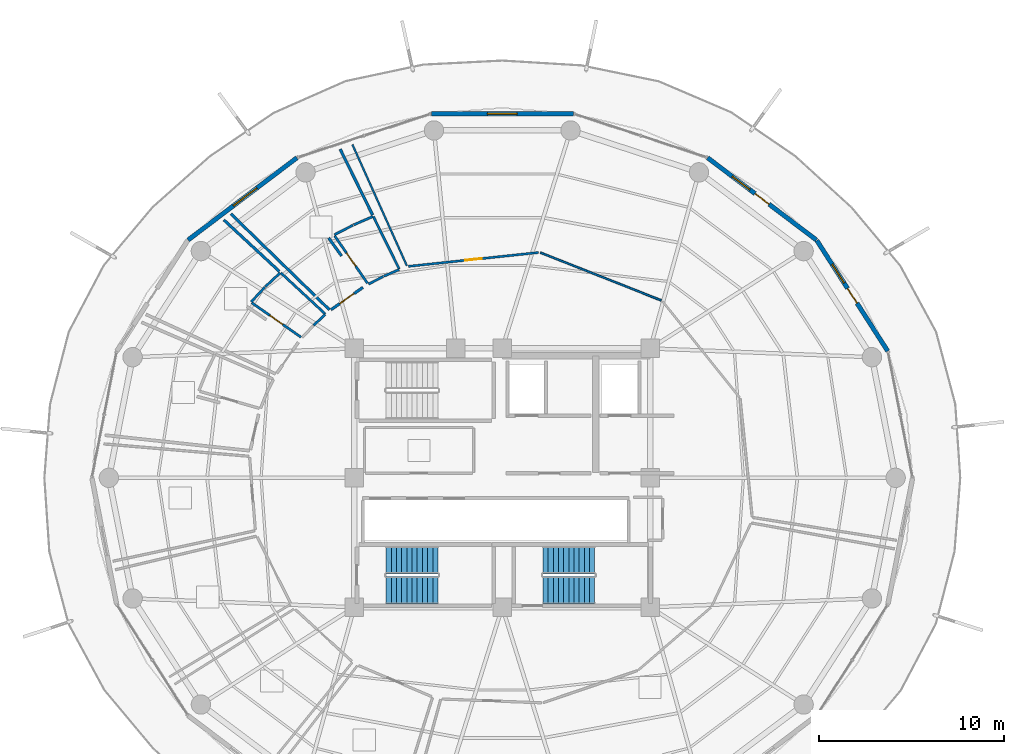
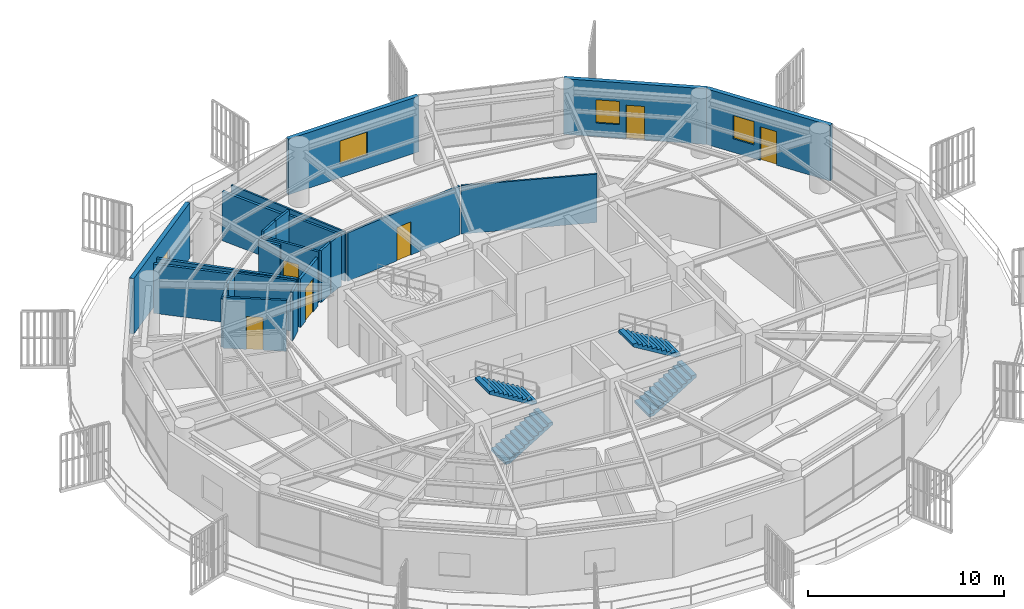
# One storey, part 26 of 31: 23 walls, 6 doors, 4 stair flights, 4 windows, 10 openings, 2 elements without a shape of their own.
"""IFC4 building model written with IfcOpenShell, lengths in metres."""

from ifc_helpers import new_model, si_unit, direction, frame, frame_2d, origin, place, context, subcontext, project, spatial, polyline, rectangle, outline, extrude, material, layer, layer_set, type_object, element, fill, aggregate, save


model = new_model("IFC4")

# Units and contexts
model_context = context("Model", 3, precision=1e-05, world=origin(), true_north=direction((0.0, 1.0)))
body_context = subcontext(model_context, "Body", "Model", "MODEL_VIEW")
ifc_project = project(units=[si_unit("LENGTHUNIT", "METRE"), si_unit("AREAUNIT", "SQUARE_METRE"), si_unit("VOLUMEUNIT", "CUBIC_METRE"), si_unit("PLANEANGLEUNIT", "RADIAN"), si_unit("MASSUNIT", "GRAM", prefix="KILO")], contexts=[model_context])

# Site, building, storey
site_placement = place(None, origin())
site = spatial("IfcSite", under=ifc_project, at=site_placement, CompositionType="ELEMENT")
building_placement = place(site_placement, origin())
building = spatial("IfcBuilding", under=site, at=building_placement, Name="Kelanora Arch Commons", CompositionType="ELEMENT")
storey_placement = place(building_placement, frame((0.0, 0.0, 219.449951171875)))
storey = spatial("IfcBuildingStorey", under=building, at=storey_placement, Name="L56", CompositionType="ELEMENT", Elevation=219.449951171875)

# Wall, opening, door
ifc_material_1 = material(Name="Autoclaved aerated concrete blockwork with fire plaster", Category="masonry")
ifc_layer_1 = layer(ifc_material_1, 0.14990234375)
ifc_layer_set_1 = layer_set([ifc_layer_1], Name="Autoclaved aerated concrete blockwork with fire plaster")
wall_type_1 = type_object("IfcWallType", Name="W-COMP-150", PredefinedType="PARTITIONING", material=ifc_layer_set_1)
wall_1_placement = place(storey_placement, frame((66.4658203125, 68.302490234375, 0.0), z_axis=(0.0, 0.0, 1.0), x_axis=(-0.819606107513, -0.572927419948, 0.0)))
wall_1 = element("IfcWall", 1, at=wall_1_placement, inside=storey, type_object=wall_type_1, Name="Cluster Bedroom L56-01 Entry Partition", PredefinedType="PARTITIONING", context=body_context, shape_type="SweptSolid", body=[
    extrude(rectangle(XDim=2.114013671875, YDim=0.14990234375, at=frame_2d((1.05712890625, 0.0))), origin(), (0.0, 0.0, 1.0), 3.025146484375),
])
opening_1_placement = place(wall_1_placement, frame((0.58203125, 0.0, 0.0)))
opening_1 = element("IfcOpeningElement", 2, at=opening_1_placement, cuts=wall_1, Name="Opening D-CLU1", PredefinedType="OPENING", context=body_context, shape_type="SweptSolid", body=[
    extrude(rectangle(XDim=0.949951171875, YDim=2.080078125, at=frame_2d((0.47509765625, 1.0400390625))), frame((0.0, 0.0849609375, 0.0), z_axis=(0.0, -1.0, 0.0), x_axis=(1.0, 0.0, 0.0)), (0.0, 0.0, 1.0), 0.169921875),
])
ifc_material_2 = material(Name="Solid-core acoustic timber cluster entry fire door", Category="wood")
door_type_1 = type_object("IfcDoorType", Name="D-CLU-95", OperationType="NOTDEFINED", PredefinedType="DOOR", material=ifc_material_2)
door_1_placement = place(opening_1_placement, origin())
door_1 = element("IfcDoor", 3, at=door_1_placement, inside=storey, type_object=door_type_1, Name="Cluster Bedroom L56-01 Door", OperationType="SINGLE_SWING_LEFT", OverallHeight=2.080078125, OverallWidth=0.949951171875, PredefinedType="DOOR", context=body_context, shape_type="SweptSolid", body=[
    extrude(rectangle(XDim=0.949951171875, YDim=2.080078125, at=frame_2d((0.47509765625, 1.0400390625))), frame((0.0, 0.02490234375, 0.0), z_axis=(0.0, -1.0, 0.0), x_axis=(1.0, 0.0, 0.0)), (0.0, 0.0, 1.0), 0.050048828125),
])
fill(opening_1, door_1)

# Walls
wall_2_placement = place(storey_placement, frame((64.6552734375, 67.0849609375, 0.0), z_axis=(0.0, 0.0, 1.0), x_axis=(-0.716418161924, 0.697671138335, 0.0)))
element("IfcWall", 4, at=wall_2_placement, inside=storey, type_object=wall_type_1, Name="Cluster Bedroom L56-01 Enclosure Partition 2", PredefinedType="PARTITIONING", context=body_context, shape_type="SweptSolid", body=[
    extrude(rectangle(XDim=7.44921875, YDim=0.14990234375, at=frame_2d((3.724609375, 0.0))), origin(), (0.0, 0.0, 1.0), 3.074951171875),
])
wall_3_placement = place(storey_placement, frame((65.234619140625, 75.774169921875, 0.0), z_axis=(0.0, 0.0, 1.0), x_axis=(0.441884590329, -0.897071908394, 0.0)))
element("IfcWall", 5, at=wall_3_placement, inside=storey, type_object=wall_type_1, Name="Cluster Bedroom L56-01 Enclosure Partition 5", PredefinedType="PARTITIONING", context=body_context, shape_type="SweptSolid", body=[
    extrude(rectangle(XDim=3.964111328125, YDim=0.14990234375, at=frame_2d((1.98193359375, 0.0))), origin(), (0.0, 0.0, 1.0), 3.074951171875),
])
wall_4_placement = place(storey_placement, frame((64.609375, 70.9716796875, 0.0), z_axis=(0.0, 0.0, 1.0), x_axis=(0.586088334164, -0.810247162634, 0.0)))
element("IfcWall", 6, at=wall_4_placement, inside=storey, type_object=wall_type_1, Name="Cluster Bedroom L56-01 Enclosure Partition 7", PredefinedType="PARTITIONING", context=body_context, shape_type="SweptSolid", body=[
    extrude(rectangle(XDim=1.192626953125, YDim=0.14990234375, at=frame_2d((0.59619140625, 0.0))), origin(), (0.0, 0.0, 1.0), 3.175048828125),
])
wall_5_placement = place(storey_placement, frame((58.934326171875, 71.954833984375, 0.0), z_axis=(0.0, 0.0, 1.0), x_axis=(0.733337091809, -0.679865214419, 0.0)))
element("IfcWall", 7, at=wall_5_placement, inside=storey, type_object=wall_type_1, Name="Cluster Bedroom L56-02 Enclosure Partition 5", PredefinedType="PARTITIONING", context=body_context, shape_type="SweptSolid", body=[
    extrude(rectangle(XDim=4.109130859375, YDim=0.14990234375, at=frame_2d((2.0546875, 0.0))), origin(), (0.0, 0.0, 1.0), 3.074951171875),
])

# Wall, openings, door, window
ifc_material_3 = material(Name="Precast concrete C40/50 upper-zone terracotta rainscreen", Category="masonry")
ifc_layer_2 = layer(ifc_material_3, 0.239990234375)
ifc_layer_set_2 = layer_set([ifc_layer_2], Name="Precast concrete C40/50 upper-zone terracotta rainscreen")
wall_type_2 = type_object("IfcWallType", Name="W-EXT-TC2", PredefinedType="SOLIDWALL", material=ifc_layer_set_2)
wall_6_placement = place(storey_placement, frame((94.85302734375, 64.85302734375, 0.0), z_axis=(0.0, 0.0, 1.0), x_axis=(-0.539539512973, 0.841960280501, 0.0)))
wall_6 = element("IfcWall", 8, at=wall_6_placement, inside=storey, type_object=wall_type_2, Name="Terracotta Exterior Wall L56-B01", PredefinedType="SOLIDWALL", context=body_context, shape_type="SweptSolid", body=[
    extrude(rectangle(XDim=7.11474609375, YDim=0.239990234375, at=frame_2d((3.557373046875, 0.0))), origin(), (0.0, 0.0, 1.0), 3.47509765625),
])
opening_2_placement = place(wall_6_placement, frame((3.08203125, 0.0, 0.0)))
opening_2 = element("IfcOpeningElement", 9, at=opening_2_placement, cuts=wall_6, Name="Opening DB-01", PredefinedType="OPENING", context=body_context, shape_type="SweptSolid", body=[
    extrude(rectangle(XDim=0.949951171875, YDim=2.10009765625, at=frame_2d((0.47509765625, 1.050048828125))), frame((0.0, 0.1298828125, 0.0), z_axis=(0.0, -1.0, 0.0), x_axis=(1.0, 0.0, 0.0)), (0.0, 0.0, 1.0), 0.260009765625),
])
opening_3_placement = place(wall_6_placement, frame((4.382080078125, 0.0, 0.85009765625)))
opening_3 = element("IfcOpeningElement", 10, at=opening_3_placement, cuts=wall_6, Name="Opening WN-02", PredefinedType="OPENING", context=body_context, shape_type="SweptSolid", body=[
    extrude(rectangle(XDim=1.199951171875, YDim=1.449951171875, at=frame_2d((0.60009765625, 0.72509765625))), frame((0.0, 0.1298828125, 0.0), z_axis=(0.0, -1.0, 0.0), x_axis=(1.0, 0.0, 0.0)), (0.0, 0.0, 1.0), 0.260009765625),
])
ifc_material_4 = material(Name="Terracotta-aluminium thermally broken glazed balcony door", Category="masonry")
door_type_2 = type_object("IfcDoorType", Name="D-BAL-10", OperationType="NOTDEFINED", PredefinedType="DOOR", material=ifc_material_4)
door_2_placement = place(opening_2_placement, frame((0.949951171875, 0.0, 0.0), z_axis=(0.0, 0.0, 1.0), x_axis=(-1.0, 0.0, 0.0)))
door_2 = element("IfcDoor", 11, at=door_2_placement, inside=storey, type_object=door_type_2, Name="Wave Balcony Door L56-B01", OperationType="SINGLE_SWING_RIGHT", OverallHeight=2.10009765625, OverallWidth=0.949951171875, PredefinedType="DOOR", context=body_context, shape_type="SweptSolid", body=[
    extrude(rectangle(XDim=0.949951171875, YDim=2.10009765625, at=frame_2d((0.47509765625, 1.050048828125))), frame((0.0, 0.02490234375, 0.0), z_axis=(0.0, -1.0, 0.0), x_axis=(1.0, 0.0, 0.0)), (0.0, 0.0, 1.0), 0.050048828125),
])
fill(opening_2, door_2)
ifc_material_5 = material(Name="Terracotta-anodised aluminium frame with operable awning sash", Category="masonry")
window_type_1 = type_object("IfcWindowType", Name="WIN-CL-12", PartitioningType="SINGLE_PANEL", PredefinedType="WINDOW", material=ifc_material_5)
window_1_placement = place(opening_3_placement, origin())
window_1 = element("IfcWindow", 12, at=window_1_placement, inside=storey, type_object=window_type_1, Name="Co-Living Operable Window L56-B01", OverallHeight=1.449951171875, OverallWidth=1.199951171875, PartitioningType="SINGLE_PANEL", PredefinedType="WINDOW", context=body_context, shape_type="SweptSolid", body=[
    extrude(rectangle(XDim=1.199951171875, YDim=1.449951171875, at=frame_2d((0.60009765625, 0.72509765625))), frame((0.0, 0.030029296875, 0.0), z_axis=(0.0, -1.0, 0.0), x_axis=(1.0, 0.0, 0.0)), (0.0, 0.0, 1.0), 0.06005859375),
])
fill(opening_3, window_1)

wall_7_placement = place(storey_placement, frame((90.994140625, 70.86474609375, 0.0), z_axis=(0.0, 0.0, 1.0), x_axis=(-0.797701674595, 0.603052268338, 0.0)))
wall_7 = element("IfcWall", 13, at=wall_7_placement, inside=storey, type_object=wall_type_2, Name="Terracotta Exterior Wall L56-B02", PredefinedType="SOLIDWALL", context=body_context, shape_type="SweptSolid", body=[
    extrude(rectangle(XDim=7.373779296875, YDim=0.239990234375, at=frame_2d((3.68701171875, 0.0))), origin(), (0.0, 0.0, 1.0), 3.47509765625),
])
opening_4_placement = place(wall_7_placement, frame((3.2119140625, 0.0, 0.0)))
opening_4 = element("IfcOpeningElement", 14, at=opening_4_placement, cuts=wall_7, Name="Opening DB-01", PredefinedType="OPENING", context=body_context, shape_type="SweptSolid", body=[
    extrude(rectangle(XDim=0.949951171875, YDim=2.10009765625, at=frame_2d((0.47509765625, 1.050048828125))), frame((0.0, 0.1298828125, 0.0), z_axis=(0.0, -1.0, 0.0), x_axis=(1.0, 0.0, 0.0)), (0.0, 0.0, 1.0), 0.260009765625),
])
opening_5_placement = place(wall_7_placement, frame((4.511962890625, 0.0, 0.85009765625)))
opening_5 = element("IfcOpeningElement", 15, at=opening_5_placement, cuts=wall_7, Name="Opening WN-02", PredefinedType="OPENING", context=body_context, shape_type="SweptSolid", body=[
    extrude(rectangle(XDim=1.199951171875, YDim=1.449951171875, at=frame_2d((0.60009765625, 0.72509765625))), frame((0.0, 0.1298828125, 0.0), z_axis=(0.0, -1.0, 0.0), x_axis=(1.0, 0.0, 0.0)), (0.0, 0.0, 1.0), 0.260009765625),
])
door_3_placement = place(opening_4_placement, frame((0.949951171875, 0.0, 0.0), z_axis=(0.0, 0.0, 1.0), x_axis=(-1.0, 0.0, 0.0)))
door_3 = element("IfcDoor", 16, at=door_3_placement, inside=storey, type_object=door_type_2, Name="Wave Balcony Door L56-B02", OperationType="SINGLE_SWING_LEFT", OverallHeight=2.10009765625, OverallWidth=0.949951171875, PredefinedType="DOOR", context=body_context, shape_type="SweptSolid", body=[
    extrude(rectangle(XDim=0.949951171875, YDim=2.10009765625, at=frame_2d((0.47509765625, 1.050048828125))), frame((0.0, 0.02490234375, 0.0), z_axis=(0.0, -1.0, 0.0), x_axis=(1.0, 0.0, 0.0)), (0.0, 0.0, 1.0), 0.050048828125),
])
fill(opening_4, door_3)
window_2_placement = place(opening_5_placement, origin())
window_2 = element("IfcWindow", 17, at=window_2_placement, inside=storey, type_object=window_type_1, Name="Co-Living Operable Window L56-B02", OverallHeight=1.449951171875, OverallWidth=1.199951171875, PartitioningType="SINGLE_PANEL", PredefinedType="WINDOW", context=body_context, shape_type="SweptSolid", body=[
    extrude(rectangle(XDim=1.199951171875, YDim=1.449951171875, at=frame_2d((0.60009765625, 0.72509765625))), frame((0.0, 0.030029296875, 0.0), z_axis=(0.0, -1.0, 0.0), x_axis=(1.0, 0.0, 0.0)), (0.0, 0.0, 1.0), 0.06005859375),
])
fill(opening_5, window_2)

# Wall, opening, window
wall_8_placement = place(storey_placement, frame((77.840087890625, 77.6962890625, 0.0), z_axis=(0.0, 0.0, 1.0), x_axis=(-1.0, 0.0, 0.0)))
wall_8 = element("IfcWall", 18, at=wall_8_placement, inside=storey, type_object=wall_type_2, Name="Terracotta Exterior Wall L56-B04", PredefinedType="SOLIDWALL", context=body_context, shape_type="SweptSolid", body=[
    extrude(rectangle(XDim=7.68017578125, YDim=0.239990234375, at=frame_2d((3.840087890625, 0.0))), origin(), (0.0, 0.0, 1.0), 3.47509765625),
])
opening_6_placement = place(wall_8_placement, frame((3.0400390625, 0.0, 0.85009765625)))
opening_6 = element("IfcOpeningElement", 19, at=opening_6_placement, cuts=wall_8, Name="Opening WN-01", PredefinedType="OPENING", context=body_context, shape_type="SweptSolid", body=[
    extrude(rectangle(XDim=1.60009765625, YDim=1.449951171875, at=frame_2d((0.800048828125, 0.72509765625))), frame((0.0, 0.1298828125, 0.0), z_axis=(0.0, -1.0, 0.0), x_axis=(1.0, 0.0, 0.0)), (0.0, 0.0, 1.0), 0.260009765625),
])
ifc_material_6 = material(Name="Terracotta-anodised aluminium frame with operable low-E glazing", Category="masonry")
window_type_2 = type_object("IfcWindowType", Name="WIN-CL-18", PartitioningType="DOUBLE_PANEL_VERTICAL", PredefinedType="WINDOW", material=ifc_material_6)
window_3_placement = place(opening_6_placement, origin())
window_3 = element("IfcWindow", 20, at=window_3_placement, inside=storey, type_object=window_type_2, Name="Co-Living Operable Window L56-B04", OverallHeight=1.449951171875, OverallWidth=1.60009765625, PartitioningType="SINGLE_PANEL", PredefinedType="WINDOW", context=body_context, shape_type="SweptSolid", body=[
    extrude(rectangle(XDim=1.60009765625, YDim=1.449951171875, at=frame_2d((0.800048828125, 0.72509765625))), frame((0.0, 0.030029296875, 0.0), z_axis=(0.0, -1.0, 0.0), x_axis=(1.0, 0.0, 0.0)), (0.0, 0.0, 1.0), 0.06005859375),
])
fill(opening_6, window_3)

wall_9_placement = place(storey_placement, frame((62.887939453125, 75.3115234375, 0.0), z_axis=(0.0, 0.0, 1.0), x_axis=(-0.797701674595, -0.603052268338, 0.0)))
wall_9 = element("IfcWall", 21, at=wall_9_placement, inside=storey, type_object=wall_type_2, Name="Terracotta Exterior Wall L56-B06", PredefinedType="SOLIDWALL", context=body_context, shape_type="SweptSolid", body=[
    extrude(rectangle(XDim=7.373779296875, YDim=0.239990234375, at=frame_2d((3.68701171875, 0.0))), origin(), (0.0, 0.0, 1.0), 3.47509765625),
])
opening_7_placement = place(wall_9_placement, frame((2.70703125, 0.0, 0.85009765625)))
opening_7 = element("IfcOpeningElement", 22, at=opening_7_placement, cuts=wall_9, Name="Opening WN-01", PredefinedType="OPENING", context=body_context, shape_type="SweptSolid", body=[
    extrude(rectangle(XDim=1.60009765625, YDim=1.449951171875, at=frame_2d((0.800048828125, 0.72509765625))), frame((0.0, 0.1298828125, 0.0), z_axis=(0.0, -1.0, 0.0), x_axis=(1.0, 0.0, 0.0)), (0.0, 0.0, 1.0), 0.260009765625),
])
window_4_placement = place(opening_7_placement, origin())
window_4 = element("IfcWindow", 23, at=window_4_placement, inside=storey, type_object=window_type_2, Name="Co-Living Operable Window L56-B06", OverallHeight=1.449951171875, OverallWidth=1.60009765625, PartitioningType="SINGLE_PANEL", PredefinedType="WINDOW", context=body_context, shape_type="SweptSolid", body=[
    extrude(rectangle(XDim=1.60009765625, YDim=1.449951171875, at=frame_2d((0.800048828125, 0.72509765625))), frame((0.0, 0.030029296875, 0.0), z_axis=(0.0, -1.0, 0.0), x_axis=(1.0, 0.0, 0.0)), (0.0, 0.0, 1.0), 0.06005859375),
])
fill(opening_7, window_4)

# Walls
ifc_material_7 = material(Name="Lightweight fire-rated acoustic stud partition")
ifc_layer_3 = layer(ifc_material_7, 0.10009765625)
ifc_layer_set_3 = layer_set([ifc_layer_3], Name="Lightweight fire-rated acoustic stud partition")
wall_type_3 = type_object("IfcWallType", Name="W-PART-100", PredefinedType="PARTITIONING", material=ifc_layer_set_3)
wall_10_placement = place(storey_placement, frame((82.603759765625, 67.5966796875, 0.0), z_axis=(0.0, 0.0, 1.0), x_axis=(-0.930004069546, 0.367549222048, 0.0)))
element("IfcWall", 24, at=wall_10_placement, inside=storey, type_object=wall_type_3, Name="North-East Quiet Study Commons L56 Enclosure Partition 3", PredefinedType="PARTITIONING", context=body_context, shape_type="SweptSolid", body=[
    extrude(rectangle(XDim=7.029541015625, YDim=0.10009765625, at=frame_2d((3.5146484375, 0.0))), origin(), (0.0, 0.0, 1.0), 3.025146484375),
])
wall_11_placement = place(storey_placement, frame((68.840576171875, 69.468505859375, 0.0), z_axis=(0.0, 0.0, 1.0), x_axis=(-0.409724811959, 0.912209174732, 0.0)))
element("IfcWall", 25, at=wall_11_placement, inside=storey, type_object=wall_type_3, Name="North-East Quiet Study Commons L56 Enclosure Partition 5", PredefinedType="PARTITIONING", context=body_context, shape_type="SweptSolid", body=[
    extrude(rectangle(XDim=7.18798828125, YDim=0.10009765625, at=frame_2d((3.593994140625, 0.0))), origin(), (0.0, 0.0, 1.0), 3.074951171875),
])

# Wall, opening, door
ifc_material_8 = material(Name="Acoustic twin-stud fire-rated gypsum partition")
ifc_layer_4 = layer(ifc_material_8, 0.1201171875)
ifc_layer_set_4 = layer_set([ifc_layer_4], Name="Acoustic twin-stud fire-rated gypsum partition")
wall_type_4 = type_object("IfcWallType", Name="W-PART-120", PredefinedType="PARTITIONING", material=ifc_layer_set_4)
wall_12_placement = place(storey_placement, frame((75.96923828125, 70.188720703125, 0.0), z_axis=(0.0, 0.0, 1.0), x_axis=(-0.994385599796, -0.105817195755, 0.0)))
wall_12 = element("IfcWall", 26, at=wall_12_placement, inside=storey, type_object=wall_type_4, Name="North-East Quiet Study Commons L56 Entry Partition", PredefinedType="PARTITIONING", context=body_context, shape_type="SweptSolid", body=[
    extrude(rectangle(XDim=7.09228515625, YDim=0.1201171875, at=frame_2d((3.546142578125, 0.0))), origin(), (0.0, 0.0, 1.0), 3.025146484375),
])
opening_8_placement = place(wall_12_placement, frame((3.095947265625, 0.0, 0.0)))
opening_8 = element("IfcOpeningElement", 27, at=opening_8_placement, cuts=wall_12, Name="Opening D-RM1", PredefinedType="OPENING", context=body_context, shape_type="SweptSolid", body=[
    extrude(rectangle(XDim=0.89990234375, YDim=2.080078125, at=frame_2d((0.449951171875, 1.0400390625))), frame((0.0, 0.070068359375, 0.0), z_axis=(0.0, -1.0, 0.0), x_axis=(1.0, 0.0, 0.0)), (0.0, 0.0, 1.0), 0.14013671875),
])
ifc_material_9 = material(Name="Acoustic fire-rated timber study and lounge door", Category="wood")
door_type_3 = type_object("IfcDoorType", Name="D-ROOM-90", OperationType="NOTDEFINED", PredefinedType="DOOR", material=ifc_material_9)
door_4_placement = place(opening_8_placement, origin())
door_4 = element("IfcDoor", 28, at=door_4_placement, inside=storey, type_object=door_type_3, Name="North-East Quiet Study Commons L56 Door", OperationType="SINGLE_SWING_LEFT", OverallHeight=2.080078125, OverallWidth=0.89990234375, PredefinedType="DOOR", context=body_context, shape_type="SweptSolid", body=[
    extrude(rectangle(XDim=0.89990234375, YDim=2.080078125, at=frame_2d((0.449951171875, 1.0400390625))), frame((0.0, 0.02490234375, 0.0), z_axis=(0.0, -1.0, 0.0), x_axis=(1.0, 0.0, 0.0)), (0.0, 0.0, 1.0), 0.050048828125),
])
fill(opening_8, door_4)

ifc_material_10 = material(Name="Moisture-resistant fire-rated cement-board plumbing wall")
ifc_layer_5 = layer(ifc_material_10, 0.1298828125)
ifc_layer_set_5 = layer_set([ifc_layer_5], Name="Moisture-resistant fire-rated cement-board plumbing wall")
wall_type_5 = type_object("IfcWallType", Name="W-WET-120", PredefinedType="PLUMBINGWALL", material=ifc_layer_set_5)
wall_13_placement = place(storey_placement, frame((66.7138671875, 68.519287109375, 0.0), z_axis=(0.0, 0.0, 1.0), x_axis=(-0.569575575996, 0.821938965635, 0.0)))
wall_13 = element("IfcWall", 29, at=wall_13_placement, inside=storey, type_object=wall_type_5, Name="En-Suite Shower WC L56-01 Entry Partition", PredefinedType="PLUMBINGWALL", context=body_context, shape_type="SweptSolid", body=[
    extrude(rectangle(XDim=3.124755859375, YDim=0.1298828125, at=frame_2d((1.5625, 0.0))), origin(), (0.0, 0.0, 1.0), 3.175048828125),
])
opening_9_placement = place(wall_13_placement, frame((1.132080078125, 0.0, 0.0)))
opening_9 = element("IfcOpeningElement", 30, at=opening_9_placement, cuts=wall_13, Name="Opening D-BT1", PredefinedType="OPENING", context=body_context, shape_type="SweptSolid", body=[
    extrude(rectangle(XDim=0.860107421875, YDim=2.050048828125, at=frame_2d((0.43017578125, 1.02490234375))), frame((0.0, 0.074951171875, 0.0), z_axis=(0.0, -1.0, 0.0), x_axis=(1.0, 0.0, 0.0)), (0.0, 0.0, 1.0), 0.14990234375),
])
ifc_material_11 = material(Name="Moisture-sealed fire-rated accessible bathroom door")
door_type_4 = type_object("IfcDoorType", Name="D-BATH-85", OperationType="NOTDEFINED", PredefinedType="DOOR", material=ifc_material_11)
door_5_placement = place(opening_9_placement, origin())
door_5 = element("IfcDoor", 31, at=door_5_placement, inside=storey, type_object=door_type_4, Name="En-Suite Shower WC L56-01 Door", OperationType="SINGLE_SWING_RIGHT", OverallHeight=2.050048828125, OverallWidth=0.860107421875, PredefinedType="DOOR", context=body_context, shape_type="SweptSolid", body=[
    extrude(rectangle(XDim=0.860107421875, YDim=2.050048828125, at=frame_2d((0.43017578125, 1.02490234375))), frame((0.0, 0.02490234375, 0.0), z_axis=(0.0, -1.0, 0.0), x_axis=(1.0, 0.0, 0.0)), (0.0, 0.0, 1.0), 0.050048828125),
])
fill(opening_9, door_5)

wall_14_placement = place(storey_placement, frame((63.11474609375, 65.6064453125, 0.0), z_axis=(0.0, 0.0, 1.0), x_axis=(-0.819768322712, 0.57269529165, 0.0)))
wall_14 = element("IfcWall", 32, at=wall_14_placement, inside=storey, type_object=wall_type_5, Name="En-Suite Shower WC L56-02 Entry Partition", PredefinedType="PLUMBINGWALL", context=body_context, shape_type="SweptSolid", body=[
    extrude(rectangle(XDim=3.248046875, YDim=0.1298828125, at=frame_2d((1.6240234375, 0.0))), origin(), (0.0, 0.0, 1.0), 3.175048828125),
])
opening_10_placement = place(wall_14_placement, frame((1.194091796875, 0.0, 0.0)))
opening_10 = element("IfcOpeningElement", 33, at=opening_10_placement, cuts=wall_14, Name="Opening D-BT1", PredefinedType="OPENING", context=body_context, shape_type="SweptSolid", body=[
    extrude(rectangle(XDim=0.860107421875, YDim=2.050048828125, at=frame_2d((0.43017578125, 1.02490234375))), frame((0.0, 0.074951171875, 0.0), z_axis=(0.0, -1.0, 0.0), x_axis=(1.0, 0.0, 0.0)), (0.0, 0.0, 1.0), 0.14990234375),
])
door_6_placement = place(opening_10_placement, origin())
door_6 = element("IfcDoor", 34, at=door_6_placement, inside=storey, type_object=door_type_4, Name="En-Suite Shower WC L56-02 Door", OperationType="SINGLE_SWING_RIGHT", OverallHeight=2.050048828125, OverallWidth=0.860107421875, PredefinedType="DOOR", context=body_context, shape_type="SweptSolid", body=[
    extrude(rectangle(XDim=0.860107421875, YDim=2.050048828125, at=frame_2d((0.43017578125, 1.02490234375))), frame((0.0, 0.02490234375, 0.0), z_axis=(0.0, -1.0, 0.0), x_axis=(1.0, 0.0, 0.0)), (0.0, 0.0, 1.0), 0.050048828125),
])
fill(opening_10, door_6)

# Walls
wall_15_placement = place(storey_placement, frame((68.418701171875, 69.264892578125, 0.0), z_axis=(0.0, 0.0, 1.0), x_axis=(-0.916724041683, -0.399521002453, 0.0)))
element("IfcWall", 35, at=wall_15_placement, inside=storey, type_object=wall_type_5, Name="En-Suite Shower WC L56-01 Enclosure Partition 1", PredefinedType="PLUMBINGWALL", context=body_context, shape_type="SweptSolid", body=[
    extrude(rectangle(XDim=0.898193359375, YDim=0.1298828125, at=frame_2d((0.44921875, 0.0))), origin(), (0.0, 0.0, 1.0), 3.235107421875),
])
wall_16_placement = place(storey_placement, frame((67.55908203125, 68.888916015625, 0.0), z_axis=(0.0, 0.0, 1.0), x_axis=(-0.888498384955, -0.458879744523, 0.0)))
element("IfcWall", 36, at=wall_16_placement, inside=storey, type_object=wall_type_5, Name="En-Suite Shower WC L56-01 Enclosure Partition 2", PredefinedType="PLUMBINGWALL", context=body_context, shape_type="SweptSolid", body=[
    extrude(rectangle(XDim=0.892822265625, YDim=0.1298828125, at=frame_2d((0.4462890625, 0.0))), origin(), (0.0, 0.0, 1.0), 3.235107421875),
])
wall_17_placement = place(storey_placement, frame((64.917724609375, 71.146240234375, 0.0), z_axis=(0.0, 0.0, 1.0), x_axis=(0.88839364622, 0.459082486439, 0.0)))
element("IfcWall", 37, at=wall_17_placement, inside=storey, type_object=wall_type_5, Name="En-Suite Shower WC L56-01 Enclosure Partition 4", PredefinedType="PLUMBINGWALL", context=body_context, shape_type="SweptSolid", body=[
    extrude(rectangle(XDim=1.131591796875, YDim=0.1298828125, at=frame_2d((0.56591796875, 0.0))), origin(), (0.0, 0.0, 1.0), 3.47998046875),
])
wall_18_placement = place(storey_placement, frame((65.959228515625, 71.68310546875, 0.0), z_axis=(0.0, 0.0, 1.0), x_axis=(0.916875363269, 0.399173606631, 0.0)))
element("IfcWall", 38, at=wall_18_placement, inside=storey, type_object=wall_type_5, Name="En-Suite Shower WC L56-01 Enclosure Partition 5", PredefinedType="PLUMBINGWALL", context=body_context, shape_type="SweptSolid", body=[
    extrude(rectangle(XDim=1.136962890625, YDim=0.1298828125, at=frame_2d((0.568359375, 0.0))), origin(), (0.0, 0.0, 1.0), 3.47998046875),
])
wall_19_placement = place(storey_placement, frame((67.02880859375, 72.127197265625, 0.0), z_axis=(0.0, 0.0, 1.0), x_axis=(0.442483009424, -0.896776887732, 0.0)))
element("IfcWall", 39, at=wall_19_placement, inside=storey, type_object=wall_type_5, Name="En-Suite Shower WC L56-01 Enclosure Partition 6", PredefinedType="PLUMBINGWALL", context=body_context, shape_type="SweptSolid", body=[
    extrude(rectangle(XDim=3.16259765625, YDim=0.1298828125, at=frame_2d((1.581298828125, 0.0))), origin(), (0.0, 0.0, 1.0), 3.175048828125),
])
wall_20_placement = place(storey_placement, frame((64.42529296875, 66.83642578125, 0.0), z_axis=(0.0, 0.0, 1.0), x_axis=(-0.73090544696, -0.68247873784, 0.0)))
element("IfcWall", 40, at=wall_20_placement, inside=storey, type_object=wall_type_5, Name="En-Suite Shower WC L56-02 Enclosure Partition 1", PredefinedType="PLUMBINGWALL", context=body_context, shape_type="SweptSolid", body=[
    extrude(rectangle(XDim=0.8671875, YDim=0.1298828125, at=frame_2d((0.43359375, 0.0))), origin(), (0.0, 0.0, 1.0), 3.025146484375),
])
wall_21_placement = place(storey_placement, frame((60.41650390625, 67.515625, 0.0), z_axis=(0.0, 0.0, 1.0), x_axis=(0.68101744228, 0.732267193933, 0.0)))
element("IfcWall", 41, at=wall_21_placement, inside=storey, type_object=wall_type_5, Name="En-Suite Shower WC L56-02 Enclosure Partition 4", PredefinedType="PLUMBINGWALL", context=body_context, shape_type="SweptSolid", body=[
    extrude(rectangle(XDim=1.0908203125, YDim=0.1298828125, at=frame_2d((0.54541015625, 0.0))), origin(), (0.0, 0.0, 1.0), 3.025146484375),
])
wall_22_placement = place(storey_placement, frame((61.1875, 68.342529296875, 0.0), z_axis=(0.0, 0.0, 1.0), x_axis=(0.731358373013, 0.681993350572, 0.0)))
element("IfcWall", 42, at=wall_22_placement, inside=storey, type_object=wall_type_5, Name="En-Suite Shower WC L56-02 Enclosure Partition 5", PredefinedType="PLUMBINGWALL", context=body_context, shape_type="SweptSolid", body=[
    extrude(rectangle(XDim=1.097900390625, YDim=0.1298828125, at=frame_2d((0.548828125, 0.0))), origin(), (0.0, 0.0, 1.0), 3.175048828125),
])
wall_23_placement = place(storey_placement, frame((62.019775390625, 69.09130859375, 0.0), z_axis=(0.0, 0.0, 1.0), x_axis=(0.733691925976, -0.679482271849, 0.0)))
element("IfcWall", 43, at=wall_23_placement, inside=storey, type_object=wall_type_5, Name="En-Suite Shower WC L56-02 Enclosure Partition 6", PredefinedType="PLUMBINGWALL", context=body_context, shape_type="SweptSolid", body=[
    extrude(rectangle(XDim=3.278564453125, YDim=0.1298828125, at=frame_2d((1.63916015625, 0.0))), origin(), (0.0, 0.0, 1.0), 3.175048828125),
])

# Stair, stair flights
ifc_material_12 = material(Name="Concrete C40/50", Category="concrete")
stair_type = type_object("IfcStairType", Name="STR-DL-375", PredefinedType="HALF_TURN_STAIR", material=ifc_material_12)
stair_1_placement = place(storey_placement, origin())
stair_1 = element("IfcStair", 44, at=stair_1_placement, inside=storey, type_object=stair_type, Name="L56 ST-T2", PredefinedType="HALF_TURN_STAIR")
stair_flight_type = type_object("IfcStairFlightType", Name="FLT-DL-375", PredefinedType="STRAIGHT", material=ifc_material_12)
stair_flight_1_placement = place(storey_placement, frame((76.199951171875, 51.919921875, 0.0), z_axis=(0.0, 0.0, 1.0), x_axis=(1.0, 0.0, 0.0)))
stair_flight_1 = element("IfcStairFlight", 45, at=stair_flight_1_placement, type_object=stair_flight_type, Name="ST-T2 flight 1", NumberOfRisers=11, NumberOfTreads=10, PredefinedType="STRAIGHT", RiserHeight=0.170454545, TreadLength=0.28, context=body_context, shape_type="SweptSolid", body=[
    extrude(outline(polyline([(0.0, 0.0), (0.0, 0.17041015625), (0.280029296875, 0.17041015625), (0.280029296875, 0.3408203125), (0.56005859375, 0.3408203125), (0.56005859375, 0.511474609375), (0.840087890625, 0.511474609375), (0.840087890625, 0.681884765625), (1.1201171875, 0.681884765625), (1.1201171875, 0.852294921875), (1.39990234375, 0.852294921875), (1.39990234375, 1.022705078125), (1.679931640625, 1.022705078125), (1.679931640625, 1.193115234375), (1.9599609375, 1.193115234375), (1.9599609375, 1.363525390625), (2.239990234375, 1.363525390625), (2.239990234375, 1.5341796875), (2.52001953125, 1.5341796875), (2.52001953125, 1.70458984375), (2.800048828125, 1.70458984375), (2.800048828125, 1.875), (2.800048828125, 1.529052734375), (0.288330078125, 0.0), (0.0, 0.0)])), frame((0.0, 0.739990234375, 0.0), z_axis=(0.0, -1.0, 0.0), x_axis=(1.0, 0.0, 0.0)), (0.0, 0.0, 1.0), 1.47998046875),
])
stair_flight_2_placement = place(storey_placement, frame((79.0, 53.550048828125, 1.875), z_axis=(0.0, 0.0, 1.0), x_axis=(-1.0, 0.0, 0.0)))
stair_flight_2 = element("IfcStairFlight", 46, at=stair_flight_2_placement, type_object=stair_flight_type, Name="ST-T2 flight 2", NumberOfRisers=11, NumberOfTreads=10, PredefinedType="STRAIGHT", RiserHeight=0.170454545, TreadLength=0.28, context=body_context, shape_type="SweptSolid", body=[
    extrude(outline(polyline([(0.0, 0.0), (0.0, 0.17041015625), (0.280029296875, 0.17041015625), (0.280029296875, 0.3408203125), (0.56005859375, 0.3408203125), (0.56005859375, 0.511474609375), (0.840087890625, 0.511474609375), (0.840087890625, 0.681884765625), (1.1201171875, 0.681884765625), (1.1201171875, 0.852294921875), (1.39990234375, 0.852294921875), (1.39990234375, 1.022705078125), (1.679931640625, 1.022705078125), (1.679931640625, 1.193115234375), (1.9599609375, 1.193115234375), (1.9599609375, 1.363525390625), (2.239990234375, 1.363525390625), (2.239990234375, 1.5341796875), (2.52001953125, 1.5341796875), (2.52001953125, 1.70458984375), (2.800048828125, 1.70458984375), (2.800048828125, 1.875), (2.800048828125, 1.529052734375), (0.288330078125, 0.0), (0.0, 0.0)])), frame((0.0, 0.739990234375, 0.0), z_axis=(0.0, -1.0, 0.0), x_axis=(1.0, 0.0, 0.0)), (0.0, 0.0, 1.0), 1.47998046875),
])
aggregate(stair_1, [stair_flight_1, stair_flight_2])

stair_2_placement = place(storey_placement, origin())
stair_2 = element("IfcStair", 47, at=stair_2_placement, inside=storey, type_object=stair_type, Name="L56 ST-T3", PredefinedType="HALF_TURN_STAIR")
stair_flight_3_placement = place(storey_placement, frame((67.719970703125, 51.919921875, 0.0), z_axis=(0.0, 0.0, 1.0), x_axis=(1.0, 0.0, 0.0)))
stair_flight_3 = element("IfcStairFlight", 48, at=stair_flight_3_placement, type_object=stair_flight_type, Name="ST-T3 flight 1", NumberOfRisers=11, NumberOfTreads=10, PredefinedType="STRAIGHT", RiserHeight=0.170454545, TreadLength=0.28, context=body_context, shape_type="SweptSolid", body=[
    extrude(outline(polyline([(0.0, 0.0), (0.0, 0.17041015625), (0.280029296875, 0.17041015625), (0.280029296875, 0.3408203125), (0.56005859375, 0.3408203125), (0.56005859375, 0.511474609375), (0.840087890625, 0.511474609375), (0.840087890625, 0.681884765625), (1.1201171875, 0.681884765625), (1.1201171875, 0.852294921875), (1.39990234375, 0.852294921875), (1.39990234375, 1.022705078125), (1.679931640625, 1.022705078125), (1.679931640625, 1.193115234375), (1.9599609375, 1.193115234375), (1.9599609375, 1.363525390625), (2.239990234375, 1.363525390625), (2.239990234375, 1.5341796875), (2.52001953125, 1.5341796875), (2.52001953125, 1.70458984375), (2.800048828125, 1.70458984375), (2.800048828125, 1.875), (2.800048828125, 1.529052734375), (0.288330078125, 0.0), (0.0, 0.0)])), frame((0.0, 0.739990234375, 0.0), z_axis=(0.0, -1.0, 0.0), x_axis=(1.0, 0.0, 0.0)), (0.0, 0.0, 1.0), 1.47998046875),
])
stair_flight_4_placement = place(storey_placement, frame((70.52001953125, 53.550048828125, 1.875), z_axis=(0.0, 0.0, 1.0), x_axis=(-1.0, 0.0, 0.0)))
stair_flight_4 = element("IfcStairFlight", 49, at=stair_flight_4_placement, type_object=stair_flight_type, Name="ST-T3 flight 2", NumberOfRisers=11, NumberOfTreads=10, PredefinedType="STRAIGHT", RiserHeight=0.170454545, TreadLength=0.28, context=body_context, shape_type="SweptSolid", body=[
    extrude(outline(polyline([(0.0, 0.0), (0.0, 0.17041015625), (0.280029296875, 0.17041015625), (0.280029296875, 0.3408203125), (0.56005859375, 0.3408203125), (0.56005859375, 0.511474609375), (0.840087890625, 0.511474609375), (0.840087890625, 0.681884765625), (1.1201171875, 0.681884765625), (1.1201171875, 0.852294921875), (1.39990234375, 0.852294921875), (1.39990234375, 1.022705078125), (1.679931640625, 1.022705078125), (1.679931640625, 1.193115234375), (1.9599609375, 1.193115234375), (1.9599609375, 1.363525390625), (2.239990234375, 1.363525390625), (2.239990234375, 1.5341796875), (2.52001953125, 1.5341796875), (2.52001953125, 1.70458984375), (2.800048828125, 1.70458984375), (2.800048828125, 1.875), (2.800048828125, 1.529052734375), (0.288330078125, 0.0), (0.0, 0.0)])), frame((0.0, 0.739990234375, 0.0), z_axis=(0.0, -1.0, 0.0), x_axis=(1.0, 0.0, 0.0)), (0.0, 0.0, 1.0), 1.47998046875),
])
aggregate(stair_2, [stair_flight_3, stair_flight_4])

save(model, "model.ifc")
